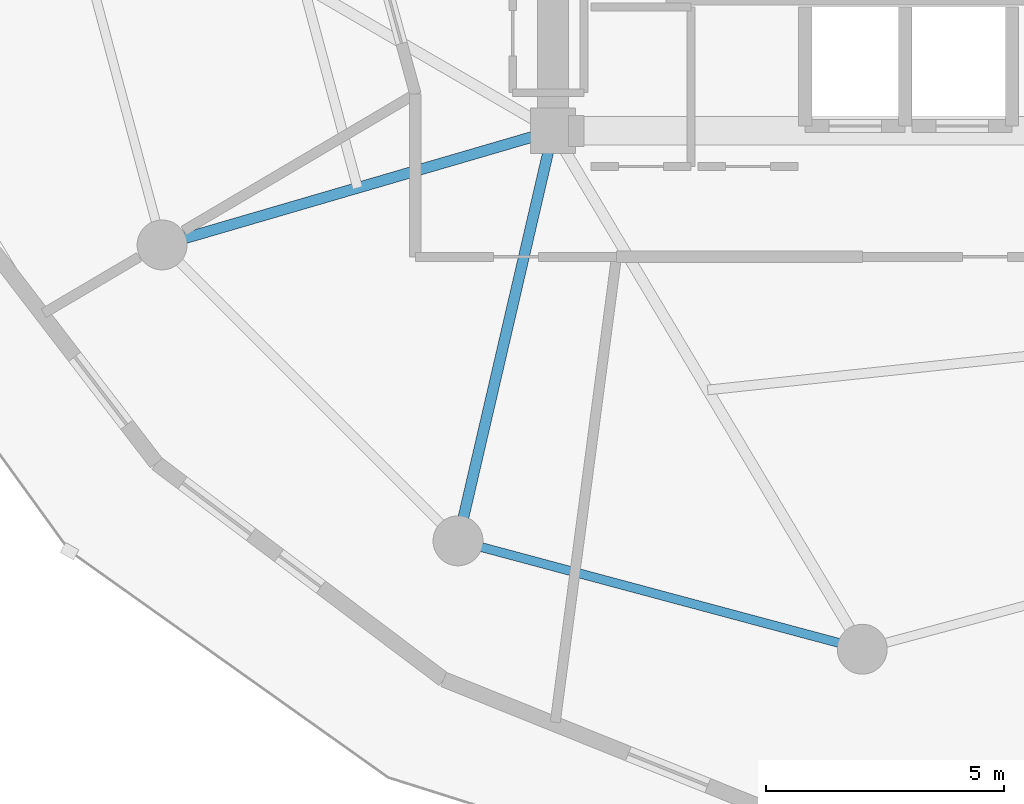
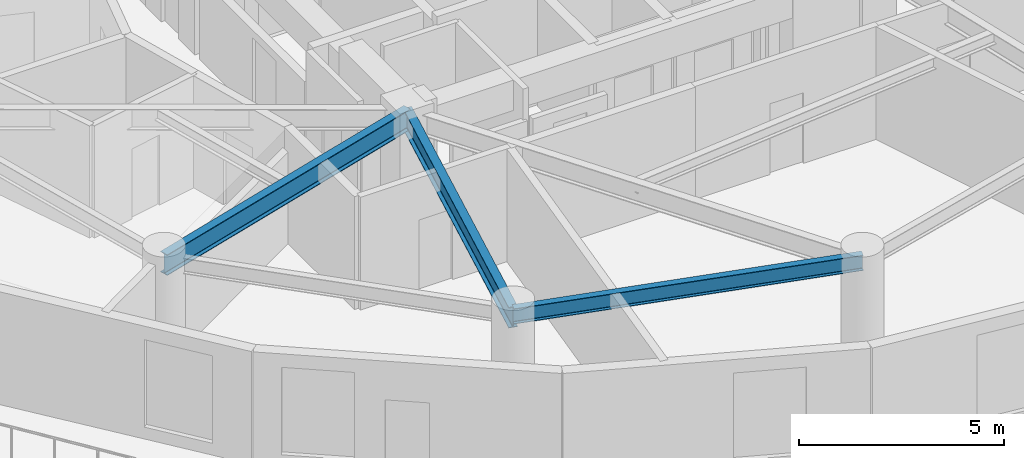
# One storey, part 3 of 25: 3 beams.
"""IFC4 building model written with IfcOpenShell, lengths in metres."""

from ifc_helpers import new_model, si_unit, direction, frame, origin, origin_2d, place, context, subcontext, project, spatial, i_section, extrude, material, material_profile, profile_set, type_object, element, save


model = new_model("IFC4")

# Units and contexts
model_context = context("Model", 3, precision=1e-05, world=origin(), true_north=direction((0.0, 1.0)))
body_context = subcontext(model_context, "Body", "Model", "MODEL_VIEW")
ifc_project = project(units=[si_unit("LENGTHUNIT", "METRE"), si_unit("AREAUNIT", "SQUARE_METRE"), si_unit("VOLUMEUNIT", "CUBIC_METRE"), si_unit("PLANEANGLEUNIT", "RADIAN"), si_unit("MASSUNIT", "GRAM", prefix="KILO")], contexts=[model_context])

# Site, building, storey
site_placement = place(None, origin())
site = spatial("IfcSite", under=ifc_project, at=site_placement, CompositionType="ELEMENT")
building_placement = place(site_placement, origin())
building = spatial("IfcBuilding", under=site, at=building_placement, Name="Solvirekh Grand Hotel", CompositionType="ELEMENT")
storey_placement = place(building_placement, frame((0.0, 0.0, 106.199951171875)))
storey = spatial("IfcBuildingStorey", under=building, at=storey_placement, Name="L26", CompositionType="ELEMENT", Elevation=106.199951171875)

# Beams
ifc_material = material(Name="Steel S355", Category="steel")
ifc_material_profile_1 = material_profile(ifc_material, i_section(OverallWidth=0.22802734375, OverallDepth=0.616943359375, WebThickness=0.012939453125, FlangeThickness=0.02001953125, FilletRadius=0.014892578125, at=origin_2d()), Name="W610X140")
ifc_profile_set_1 = profile_set([ifc_material_profile_1], Name="Steel S355")
beam_type_1 = type_object("IfcBeamType", Name="Beam_Radial_W610", PredefinedType="BEAM", material=ifc_profile_set_1)
beam_1_placement = place(storey_placement, frame((-6.5, -6.10009765625, 3.0419921875), z_axis=(-0.959942195467, -0.28019811092, 0.0), x_axis=(0.28019811092, -0.959942195467, 0.0)))
element("IfcBeam", 1, at=beam_1_placement, inside=storey, type_object=beam_type_1, Name="L26 radial floor beam R08", PredefinedType="BEAM", context=body_context, shape_type="SweptSolid", body=[
    extrude(i_section(OverallWidth=0.22802734375, OverallDepth=0.616943359375, WebThickness=0.012939453125, FlangeThickness=0.02001953125, FilletRadius=0.014892578125, at=origin_2d()), origin(), (0.0, 0.0, 1.0), 8.56494140625),
])
beam_2_placement = place(storey_placement, frame((-6.5, -6.10009765625, 3.0419921875), z_axis=(-0.225969390542, -0.974134402707, 0.0), x_axis=(0.974134402707, -0.225969390542, 0.0)))
element("IfcBeam", 2, at=beam_2_placement, inside=storey, type_object=beam_type_1, Name="L26 radial floor beam R09", PredefinedType="BEAM", context=body_context, shape_type="SweptSolid", body=[
    extrude(i_section(OverallWidth=0.22802734375, OverallDepth=0.616943359375, WebThickness=0.012939453125, FlangeThickness=0.02001953125, FilletRadius=0.014892578125, at=origin_2d()), origin(), (0.0, 0.0, 1.0), 8.850830078125),
])
ifc_material_profile_2 = material_profile(ifc_material, i_section(OverallWidth=0.18994140625, OverallDepth=0.45703125, WebThickness=0.009033203125, FlangeThickness=0.013916015625, FilletRadius=0.012939453125, at=origin_2d()), Name="W460X74")
ifc_profile_set_2 = profile_set([ifc_material_profile_2], Name="Steel S355")
beam_type_2 = type_object("IfcBeamType", Name="Spandrel_Ring_W460", PredefinedType="SPANDREL", material=ifc_profile_set_2)
beam_3_placement = place(storey_placement, frame((-8.5, -14.721923828125, 3.1220703125), z_axis=(0.965911391906, -0.258872908946, 0.0), x_axis=(0.258872908946, 0.965911391906, 0.0)))
element("IfcBeam", 3, at=beam_3_placement, inside=storey, type_object=beam_type_2, Name="L26 perimeter spandrel beam 9", PredefinedType="SPANDREL", context=body_context, shape_type="SweptSolid", body=[
    extrude(i_section(OverallWidth=0.18994140625, OverallDepth=0.45703125, WebThickness=0.009033203125, FlangeThickness=0.013916015625, FilletRadius=0.012939453125, at=origin_2d()), origin(), (0.0, 0.0, 1.0), 8.800048828125),
])

save(model, "model.ifc")
